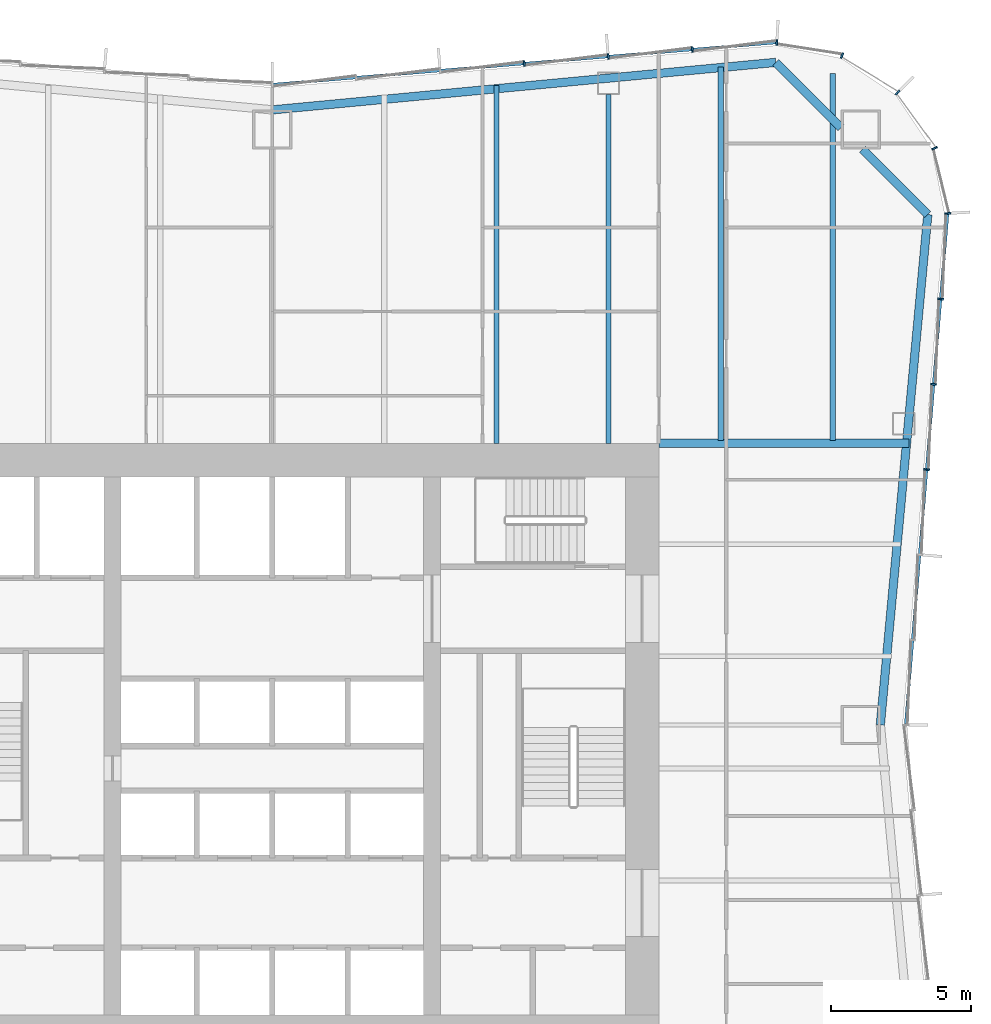
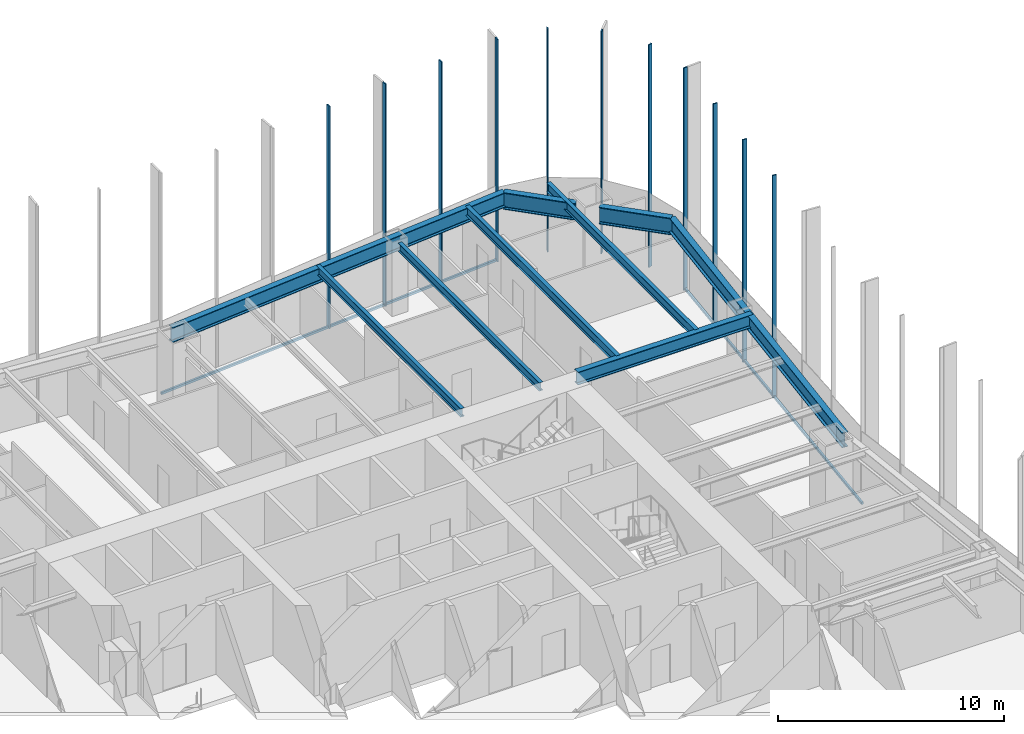
# One storey, part 6 of 13: 13 members, 9 beams, 3 elements without a shape of their own.
"""IFC4 building model written with IfcOpenShell, lengths in metres."""

from ifc_helpers import new_model, si_unit, direction, frame, origin, origin_2d, place, context, subcontext, project, spatial, rectangle, i_section, extrude, material, material_profile, profile_set, type_object, element, aggregate, save


model = new_model("IFC4")

# Units and contexts
model_context = context("Model", 3, precision=1e-05, world=origin(), true_north=direction((0.0, 1.0)))
body_context = subcontext(model_context, "Body", "Model", "MODEL_VIEW")
ifc_project = project(units=[si_unit("LENGTHUNIT", "METRE"), si_unit("AREAUNIT", "SQUARE_METRE"), si_unit("VOLUMEUNIT", "CUBIC_METRE"), si_unit("PLANEANGLEUNIT", "RADIAN"), si_unit("MASSUNIT", "GRAM", prefix="KILO")], contexts=[model_context])

# Site, building, storey
site_placement = place(None, origin())
site = spatial("IfcSite", under=ifc_project, at=site_placement, CompositionType="ELEMENT")
building_placement = place(site_placement, origin())
building = spatial("IfcBuilding", under=site, at=building_placement, Name="Verdant Reach Tower", CompositionType="ELEMENT")
storey_placement = place(building_placement, frame((0.0, 0.0, 70.0)))
storey = spatial("IfcBuildingStorey", under=building, at=storey_placement, Name="L15", CompositionType="ELEMENT", Elevation=70.0)

# Curtain wall, members
ifc_material_1 = material(Name="Anodised aluminium", Category="aluminium")
curtain_wall_type = type_object("IfcCurtainWallType", Name="EN-CW SYSTEM Z1", PredefinedType="NOTDEFINED", material=ifc_material_1)
curtain_wall_1_placement = place(storey_placement, origin())
curtain_wall_1 = element("IfcCurtainWall", 1, at=curtain_wall_1_placement, inside=storey, type_object=curtain_wall_type, Name="Curtain wall east, L15", PredefinedType="NOTDEFINED")
ifc_material_profile_1 = material_profile(ifc_material_1, rectangle(XDim=0.2060546875, YDim=0.06201171875, at=origin_2d()), Name="Mullion 62x206")
ifc_profile_set_1 = profile_set([ifc_material_profile_1], Name="Anodised aluminium")
member_type_1 = type_object("IfcMemberType", Name="EN-MULLION Z1", PredefinedType="MULLION", material=ifc_profile_set_1)
member_1_placement = place(storey_placement, frame((23.3525390625, 37.866455078125, -0.35009765625), z_axis=(0.0, 0.0, 1.0), x_axis=(0.996639273542, -0.081915556724, 0.0)))
member_1 = element("IfcMember", 2, at=member_1_placement, type_object=member_type_1, Name="Mullion east face part 2 4, L15", PredefinedType="MULLION", context=body_context, shape_type="SweptSolid", body=[
    extrude(rectangle(XDim=0.2060546875, YDim=0.06201171875, at=origin_2d()), origin(), (0.0, 0.0, 1.0), 12.0),
])
member_2_placement = place(storey_placement, frame((23.6025390625, 40.908203125, -0.35009765625), z_axis=(0.0, 0.0, 1.0), x_axis=(0.996639273542, -0.081915556724, 0.0)))
member_2 = element("IfcMember", 3, at=member_2_placement, type_object=member_type_1, Name="Mullion east face part 2 5, L15", PredefinedType="MULLION", context=body_context, shape_type="SweptSolid", body=[
    extrude(rectangle(XDim=0.2060546875, YDim=0.06201171875, at=origin_2d()), origin(), (0.0, 0.0, 1.0), 12.0),
])
member_3_placement = place(storey_placement, frame((23.8525390625, 43.949951171875, -0.35009765625), z_axis=(0.0, 0.0, 1.0), x_axis=(0.996639273542, -0.081915556724, 0.0)))
member_3 = element("IfcMember", 4, at=member_3_placement, type_object=member_type_1, Name="Mullion east face part 2 6, L15", PredefinedType="MULLION", context=body_context, shape_type="SweptSolid", body=[
    extrude(rectangle(XDim=0.2060546875, YDim=0.06201171875, at=origin_2d()), origin(), (0.0, 0.0, 1.0), 12.0),
])

curtain_wall_2_placement = place(storey_placement, origin())
curtain_wall_2 = element("IfcCurtainWall", 5, at=curtain_wall_2_placement, inside=storey, type_object=curtain_wall_type, Name="Curtain wall north-east corner, L15", PredefinedType="NOTDEFINED")
member_4_placement = place(storey_placement, frame((24.102783203125, 47.005859375, -0.35009765625), z_axis=(0.0, 0.0, 1.0), x_axis=(0.998366452275, 0.057135164055, 0.0)))
member_4 = element("IfcMember", 6, at=member_4_placement, type_object=member_type_1, Name="Mullion north-east corner 1, L15", PredefinedType="MULLION", context=body_context, shape_type="SweptSolid", body=[
    extrude(rectangle(XDim=0.2060546875, YDim=0.06201171875, at=origin_2d()), origin(), (0.0, 0.0, 1.0), 12.0),
])
member_5_placement = place(storey_placement, frame((23.638427734375, 49.33544921875, -0.35009765625), z_axis=(0.0, 0.0, 1.0), x_axis=(0.923875215753, 0.382693853776, 0.0)))
member_5 = element("IfcMember", 7, at=member_5_placement, type_object=member_type_1, Name="Mullion north-east corner 2, L15", PredefinedType="MULLION", context=body_context, shape_type="SweptSolid", body=[
    extrude(rectangle(XDim=0.2060546875, YDim=0.06201171875, at=origin_2d()), origin(), (0.0, 0.0, 1.0), 12.0),
])
member_6_placement = place(storey_placement, frame((22.3154296875, 51.3154296875, -0.35009765625), z_axis=(0.0, 0.0, 1.0), x_axis=(0.707106781187, 0.707106781187, 0.0)))
member_6 = element("IfcMember", 8, at=member_6_placement, type_object=member_type_1, Name="Mullion north-east corner 3, L15", PredefinedType="MULLION", context=body_context, shape_type="SweptSolid", body=[
    extrude(rectangle(XDim=0.2060546875, YDim=0.06201171875, at=origin_2d()), origin(), (0.0, 0.0, 1.0), 12.0),
])
member_7_placement = place(storey_placement, frame((20.33544921875, 52.638427734375, -0.35009765625), z_axis=(0.0, 0.0, 1.0), x_axis=(0.382693853776, 0.923875215753, 0.0)))
member_7 = element("IfcMember", 9, at=member_7_placement, type_object=member_type_1, Name="Mullion north-east corner 4, L15", PredefinedType="MULLION", context=body_context, shape_type="SweptSolid", body=[
    extrude(rectangle(XDim=0.2060546875, YDim=0.06201171875, at=origin_2d()), origin(), (0.0, 0.0, 1.0), 12.0),
])
aggregate(curtain_wall_2, [member_4, member_5, member_6, member_7])

curtain_wall_3_placement = place(storey_placement, origin())
curtain_wall_3 = element("IfcCurtainWall", 10, at=curtain_wall_3_placement, inside=storey, type_object=curtain_wall_type, Name="Curtain wall north, L15", PredefinedType="NOTDEFINED")
member_8_placement = place(storey_placement, frame((18.005859375, 53.102783203125, -0.35009765625), z_axis=(0.0, 0.0, 1.0), x_axis=(0.056569187765, 0.998398681387, 0.0)))
member_8 = element("IfcMember", 11, at=member_8_placement, type_object=member_type_1, Name="Mullion north face part 1 1, L15", PredefinedType="MULLION", context=body_context, shape_type="SweptSolid", body=[
    extrude(rectangle(XDim=0.2060546875, YDim=0.06201171875, at=origin_2d()), origin(), (0.0, 0.0, 1.0), 12.0),
])
member_9_placement = place(storey_placement, frame((14.991455078125, 52.8525390625, -0.35009765625), z_axis=(0.0, 0.0, 1.0), x_axis=(-0.083045479859, 0.996545758244, 0.0)))
member_9 = element("IfcMember", 12, at=member_9_placement, type_object=member_type_1, Name="Mullion north face part 1 2, L15", PredefinedType="MULLION", context=body_context, shape_type="SweptSolid", body=[
    extrude(rectangle(XDim=0.2060546875, YDim=0.06201171875, at=origin_2d()), origin(), (0.0, 0.0, 1.0), 12.0),
])
member_10_placement = place(storey_placement, frame((11.991455078125, 52.6025390625, -0.35009765625), z_axis=(0.0, 0.0, 1.0), x_axis=(-0.083045479859, 0.996545758244, 0.0)))
member_10 = element("IfcMember", 13, at=member_10_placement, type_object=member_type_1, Name="Mullion north face part 1 3, L15", PredefinedType="MULLION", context=body_context, shape_type="SweptSolid", body=[
    extrude(rectangle(XDim=0.2060546875, YDim=0.06201171875, at=origin_2d()), origin(), (0.0, 0.0, 1.0), 12.0),
])
member_11_placement = place(storey_placement, frame((8.991455078125, 52.3525390625, -0.35009765625), z_axis=(0.0, 0.0, 1.0), x_axis=(-0.083045479859, 0.996545758244, 0.0)))
member_11 = element("IfcMember", 14, at=member_11_placement, type_object=member_type_1, Name="Mullion north face part 1 4, L15", PredefinedType="MULLION", context=body_context, shape_type="SweptSolid", body=[
    extrude(rectangle(XDim=0.2060546875, YDim=0.06201171875, at=origin_2d()), origin(), (0.0, 0.0, 1.0), 12.0),
])

# Member
ifc_material_profile_2 = material_profile(ifc_material_1, rectangle(XDim=0.10009765625, YDim=0.1220703125, at=origin_2d()), Name="Transom 122x100")
ifc_profile_set_2 = profile_set([ifc_material_profile_2], Name="Anodised aluminium")
member_type_2 = type_object("IfcMemberType", Name="EN-TRANSOM Z1", PredefinedType="USERDEFINED", material=ifc_profile_set_2)
member_12_placement = place(storey_placement, frame((22.60546875, 28.781005859375, -0.2890625), z_axis=(0.081886623329, 0.996641651207, 0.0), x_axis=(-0.996641651207, 0.081886623329, 0.0)))
member_12 = element("IfcMember", 15, at=member_12_placement, type_object=member_type_2, Name="Transom east face part 2 1.1, L15", ObjectType="TRANSOM", PredefinedType="USERDEFINED", context=body_context, shape_type="SweptSolid", body=[
    extrude(rectangle(XDim=0.10009765625, YDim=0.1220703125, at=origin_2d()), origin(), (0.0, 0.0, 1.0), 18.25537109375),
])

aggregate(curtain_wall_1, [member_1, member_2, member_3, member_12])

member_13_placement = place(storey_placement, frame((17.974853515625, 53.100341796875, -0.2890625), z_axis=(-0.996547815143, -0.083020793384, 0.0), x_axis=(0.083020793384, -0.996547815143, 0.0)))
member_13 = element("IfcMember", 16, at=member_13_placement, type_object=member_type_2, Name="Transom north face part 1 1.1, L15", ObjectType="TRANSOM", PredefinedType="USERDEFINED", context=body_context, shape_type="SweptSolid", body=[
    extrude(rectangle(XDim=0.10009765625, YDim=0.1220703125, at=origin_2d()), origin(), (0.0, 0.0, 1.0), 18.006103515625),
])

aggregate(curtain_wall_3, [member_8, member_9, member_10, member_11, member_13])

# Beams
ifc_material_2 = material(Name="Steel S355", Category="steel")
ifc_material_profile_3 = material_profile(ifc_material_2, i_section(OverallWidth=0.300048828125, OverallDepth=0.699951171875, WebThickness=0.01708984375, FlangeThickness=0.031982421875, FilletRadius=0.027099609375, at=origin_2d()), Name="HEB 700")
ifc_profile_set_3 = profile_set([ifc_material_profile_3], Name="Steel S355")
beam_type_1 = type_object("IfcBeamType", Name="ST-BEAM-HEB700", PredefinedType="BEAM", material=ifc_profile_set_3)
beam_1_placement = place(storey_placement, frame((13.800048828125, 38.800048828125, 3.52001953125), z_axis=(1.0, 0.0, 0.0), x_axis=(0.0, 1.0, 0.0)))
element("IfcBeam", 17, at=beam_1_placement, inside=storey, type_object=beam_type_1, Name="Trimmer beam, L15", PredefinedType="BEAM", context=body_context, shape_type="SweptSolid", body=[
    extrude(i_section(OverallWidth=0.300048828125, OverallDepth=0.699951171875, WebThickness=0.01708984375, FlangeThickness=0.031982421875, FilletRadius=0.027099609375, at=origin_2d()), origin(), (0.0, 0.0, 1.0), 8.924072265625),
])
ifc_material_profile_4 = material_profile(ifc_material_2, i_section(OverallWidth=0.18994140625, OverallDepth=0.449951171875, WebThickness=0.009521484375, FlangeThickness=0.0146484375, FilletRadius=0.02099609375, at=origin_2d()), Name="IPE 450")
ifc_profile_set_4 = profile_set([ifc_material_profile_4], Name="Steel S355")
beam_type_2 = type_object("IfcBeamType", Name="ST-JOIST-IPE450", PredefinedType="JOIST", material=ifc_profile_set_4)
beam_2_placement = place(storey_placement, frame((8.0, 38.800048828125, 3.64501953125), z_axis=(0.0, 1.0, 0.0), x_axis=(-1.0, 0.0, 0.0)))
element("IfcBeam", 18, at=beam_2_placement, inside=storey, type_object=beam_type_2, Name="Floor joist, L15", PredefinedType="JOIST", context=body_context, shape_type="SweptSolid", body=[
    extrude(i_section(OverallWidth=0.18994140625, OverallDepth=0.449951171875, WebThickness=0.009521484375, FlangeThickness=0.0146484375, FilletRadius=0.02099609375, at=origin_2d()), origin(), (0.0, 0.0, 1.0), 12.7646484375),
])
beam_3_placement = place(storey_placement, frame((12.0, 38.800048828125, 3.64501953125), z_axis=(0.0, 1.0, 0.0), x_axis=(-1.0, 0.0, 0.0)))
element("IfcBeam", 19, at=beam_3_placement, inside=storey, type_object=beam_type_2, Name="Floor joist, L15", PredefinedType="JOIST", context=body_context, shape_type="SweptSolid", body=[
    extrude(i_section(OverallWidth=0.18994140625, OverallDepth=0.449951171875, WebThickness=0.009521484375, FlangeThickness=0.0146484375, FilletRadius=0.02099609375, at=origin_2d()), origin(), (0.0, 0.0, 1.0), 12.449951171875),
])
ifc_material_profile_5 = material_profile(ifc_material_2, i_section(OverallWidth=0.199951171875, OverallDepth=0.5, WebThickness=0.01025390625, FlangeThickness=0.01611328125, FilletRadius=0.02099609375, at=origin_2d()), Name="IPE 500")
ifc_profile_set_5 = profile_set([ifc_material_profile_5], Name="Steel S355")
beam_type_3 = type_object("IfcBeamType", Name="ST-JOIST-IPE500", PredefinedType="JOIST", material=ifc_profile_set_5)
beam_4_placement = place(storey_placement, frame((16.0, 38.89990234375, 3.6201171875), z_axis=(0.0, 1.0, 0.0), x_axis=(-1.0, 0.0, 0.0)))
element("IfcBeam", 20, at=beam_4_placement, inside=storey, type_object=beam_type_3, Name="Floor joist, L15", PredefinedType="JOIST", context=body_context, shape_type="SweptSolid", body=[
    extrude(i_section(OverallWidth=0.199951171875, OverallDepth=0.5, WebThickness=0.01025390625, FlangeThickness=0.01611328125, FilletRadius=0.02099609375, at=origin_2d()), origin(), (0.0, 0.0, 1.0), 13.331298828125),
])
beam_5_placement = place(storey_placement, frame((20.0, 38.89990234375, 3.6201171875), z_axis=(0.0, 1.0, 0.0), x_axis=(-1.0, 0.0, 0.0)))
element("IfcBeam", 21, at=beam_5_placement, inside=storey, type_object=beam_type_3, Name="Floor joist, L15", PredefinedType="JOIST", context=body_context, shape_type="SweptSolid", body=[
    extrude(i_section(OverallWidth=0.199951171875, OverallDepth=0.5, WebThickness=0.01025390625, FlangeThickness=0.01611328125, FilletRadius=0.02099609375, at=origin_2d()), origin(), (0.0, 0.0, 1.0), 13.090576171875),
])
ifc_material_profile_6 = material_profile(ifc_material_2, i_section(OverallWidth=0.300048828125, OverallDepth=0.800048828125, WebThickness=0.017578125, FlangeThickness=0.032958984375, FilletRadius=0.030029296875, at=origin_2d()), Name="HEB 800")
ifc_profile_set_6 = profile_set([ifc_material_profile_6], Name="Steel S355")
beam_type_4 = type_object("IfcBeamType", Name="ST-SPANDREL-HEB800", PredefinedType="SPANDREL", material=ifc_profile_set_6)
beam_6_placement = place(storey_placement, frame((0.0, 50.699951171875, 3.469970703125), z_axis=(0.995578571765, 0.093932462137, 0.0), x_axis=(-0.093932462137, 0.995578571765, 0.0)))
element("IfcBeam", 22, at=beam_6_placement, inside=storey, type_object=beam_type_4, Name="Edge beam, L15", PredefinedType="SPANDREL", context=body_context, shape_type="SweptSolid", body=[
    extrude(i_section(OverallWidth=0.300048828125, OverallDepth=0.800048828125, WebThickness=0.017578125, FlangeThickness=0.032958984375, FilletRadius=0.030029296875, at=origin_2d()), origin(), (0.0, 0.0, 1.0), 18.045654296875),
])
beam_7_placement = place(storey_placement, frame((23.39501953125, 46.96533203125, 3.469970703125), z_axis=(-0.092656907618, -0.995698095544, 0.0), x_axis=(0.995698095544, -0.092656907618, 0.0)))
element("IfcBeam", 23, at=beam_7_placement, inside=storey, type_object=beam_type_4, Name="Edge beam, L15", PredefinedType="SPANDREL", context=body_context, shape_type="SweptSolid", body=[
    extrude(i_section(OverallWidth=0.300048828125, OverallDepth=0.800048828125, WebThickness=0.017578125, FlangeThickness=0.032958984375, FilletRadius=0.030029296875, at=origin_2d()), origin(), (0.0, 0.0, 1.0), 18.2939453125),
])
ifc_material_profile_7 = material_profile(ifc_material_2, i_section(OverallWidth=0.302001953125, OverallDepth=0.909912109375, WebThickness=0.02099609375, FlangeThickness=0.0400390625, FilletRadius=0.030029296875, at=origin_2d()), Name="HEM 900")
ifc_profile_set_7 = profile_set([ifc_material_profile_7], Name="Steel S355")
beam_type_5 = type_object("IfcBeamType", Name="ST-SPANDREL-HEM900", PredefinedType="SPANDREL", material=ifc_profile_set_7)
beam_8_placement = place(storey_placement, frame((17.9658203125, 52.39501953125, 3.4150390625), z_axis=(0.707106781187, -0.707106781187, 0.0), x_axis=(0.707106781187, 0.707106781187, 0.0)))
element("IfcBeam", 24, at=beam_8_placement, inside=storey, type_object=beam_type_5, Name="Edge beam, L15", PredefinedType="SPANDREL", context=body_context, shape_type="SweptSolid", body=[
    extrude(i_section(OverallWidth=0.302001953125, OverallDepth=0.909912109375, WebThickness=0.02099609375, FlangeThickness=0.0400390625, FilletRadius=0.030029296875, at=origin_2d()), origin(), (0.0, 0.0, 1.0), 3.301025390625),
])
beam_9_placement = place(storey_placement, frame((21.060546875, 49.300048828125, 3.4150390625), z_axis=(0.707069807316, -0.707143753123, 0.0), x_axis=(0.707143753123, 0.707069807316, 0.0)))
element("IfcBeam", 25, at=beam_9_placement, inside=storey, type_object=beam_type_5, Name="Edge beam, L15", PredefinedType="SPANDREL", context=body_context, shape_type="SweptSolid", body=[
    extrude(i_section(OverallWidth=0.302001953125, OverallDepth=0.909912109375, WebThickness=0.02099609375, FlangeThickness=0.0400390625, FilletRadius=0.030029296875, at=origin_2d()), origin(), (0.0, 0.0, 1.0), 3.301513671875),
])

save(model, "model.ifc")
